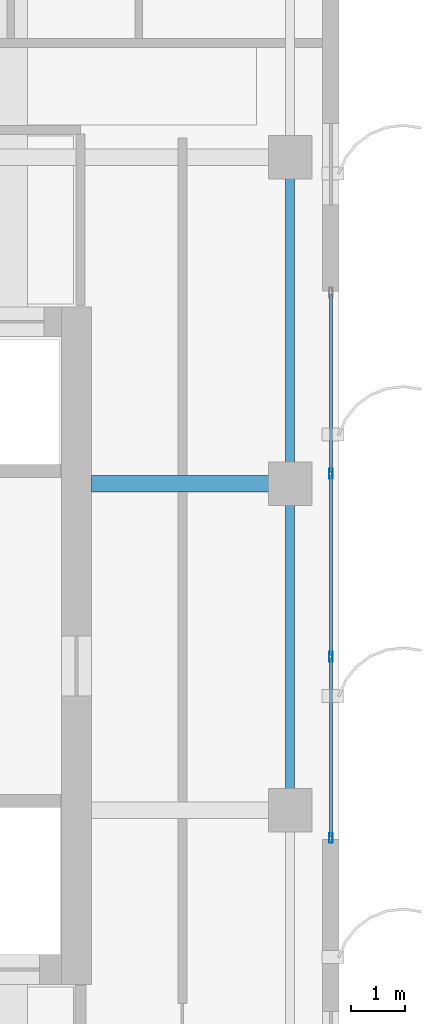
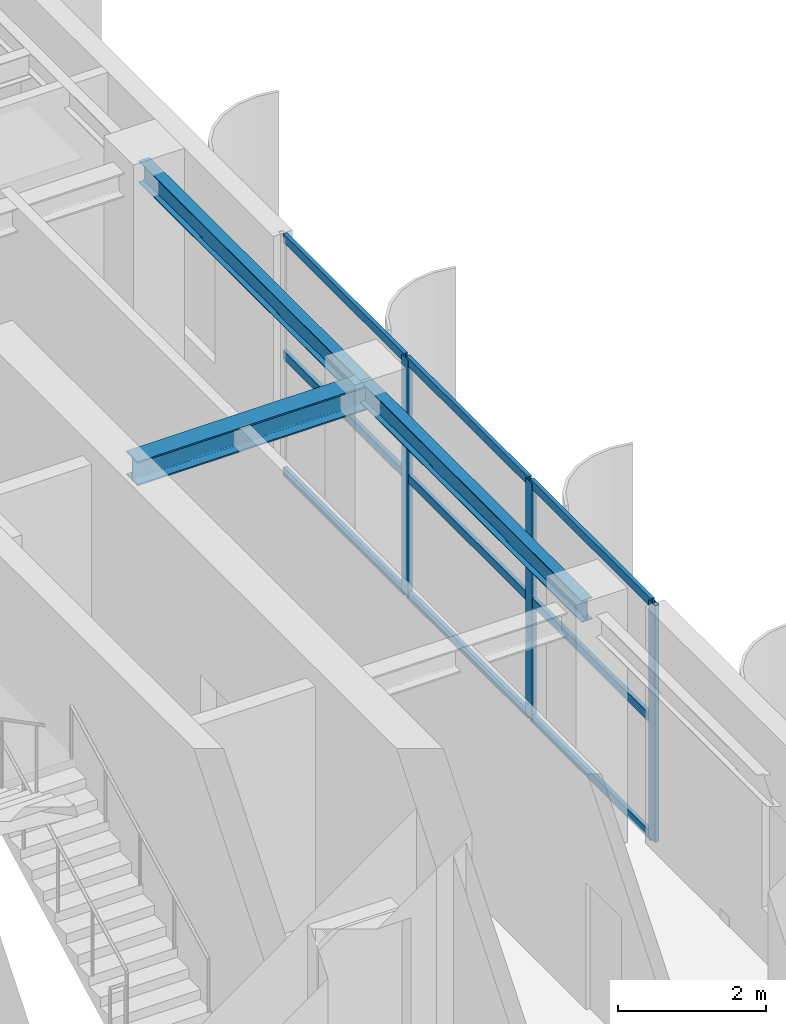
# One storey, part 6 of 19: 12 members, 3 beams, 1 element without a shape of its own.
"""IFC4 building model written with IfcOpenShell, lengths in metres."""

from ifc_helpers import new_model, si_unit, direction, frame, origin, origin_2d, place, context, subcontext, project, spatial, hollow_rectangle, i_section, extrude, source, transform, mapped, material, layer, layer_set, material_profile, profile_set, type_object, element, aggregate, save


model = new_model("IFC4")

# Units and contexts
model_context = context("Model", 3, precision=1e-05, world=origin(), true_north=direction((0.0, 1.0)))
body_context = subcontext(model_context, "Body", "Model", "MODEL_VIEW")
ifc_project = project(units=[si_unit("LENGTHUNIT", "METRE"), si_unit("AREAUNIT", "SQUARE_METRE"), si_unit("VOLUMEUNIT", "CUBIC_METRE"), si_unit("PLANEANGLEUNIT", "RADIAN"), si_unit("MASSUNIT", "GRAM", prefix="KILO")], contexts=[model_context])

# Site, building, storey
site_placement = place(None, origin())
site = spatial("IfcSite", under=ifc_project, at=site_placement, CompositionType="ELEMENT")
building_placement = place(site_placement, origin())
building = spatial("IfcBuilding", under=site, at=building_placement, Name="Khoralis Quay Care Tower", CompositionType="ELEMENT")
storey_placement = place(building_placement, frame((0.0, 0.0, 285.300048828125)))
storey = spatial("IfcBuildingStorey", under=building, at=storey_placement, Name="L75", CompositionType="ELEMENT", Elevation=285.300048828125)

# Beams
ifc_material_1 = material(Name="Steel S355", Category="steel")
ifc_material_profile_1 = material_profile(ifc_material_1, i_section(OverallWidth=0.169921875, OverallDepth=0.360107421875, WebThickness=0.008056640625, FlangeThickness=0.0126953125, FilletRadius=0.01806640625, at=origin_2d()), Name="Steel S355")
ifc_profile_set_1 = profile_set([ifc_material_profile_1], Name="Steel S355")
beam_type_1 = type_object("IfcBeamType", Name="BM-IPE360", PredefinedType="SPANDREL", material=ifc_profile_set_1)
shared_shape_1 = source(origin(), body_context, "Body", "SweptSolid", [
    extrude(i_section(OverallWidth=0.169921875, OverallDepth=0.360107421875, WebThickness=0.008056640625, FlangeThickness=0.0126953125, FilletRadius=0.01806640625, at=origin_2d()), origin(), (0.0, 0.0, 1.0), 6.0),
])
for number, where, z_axis, x_axis, name in (
    (1, (41.10009765625, 18.0, 3.739990234375), (0.0, 1.0, 0.0), (-1.0, 0.0, 0.0), "BM-TSP-L75-14"),
    (2, (41.10009765625, 24.0, 3.739990234375), (0.0, 1.0, 0.0), (-1.0, 0.0, 0.0), "BM-TSP-L75-15"),
):
    element("IfcBeam", number, at=place(storey_placement, frame(where, z_axis=z_axis, x_axis=x_axis)), inside=storey, type_object=beam_type_1, Name=name, PredefinedType="SPANDREL", context=body_context, shape_type="MappedRepresentation", body=[
        mapped(shared_shape_1, transform((0.0, 0.0, 0.0), scale=1.0)),
    ])
ifc_material_profile_2 = material_profile(ifc_material_1, i_section(OverallWidth=0.300048828125, OverallDepth=0.39990234375, WebThickness=0.013427734375, FlangeThickness=0.02392578125, FilletRadius=0.027099609375, at=origin_2d()), Name="Steel S355")
ifc_profile_set_2 = profile_set([ifc_material_profile_2], Name="Steel S355")
beam_type_2 = type_object("IfcBeamType", Name="BM-HEB400", PredefinedType="BEAM", material=ifc_profile_set_2)
shared_shape_2 = source(origin(), body_context, "Body", "SweptSolid", [
    extrude(i_section(OverallWidth=0.300048828125, OverallDepth=0.39990234375, WebThickness=0.013427734375, FlangeThickness=0.02392578125, FilletRadius=0.027099609375, at=origin_2d()), origin(), (0.0, 0.0, 1.0), 3.652099609375),
])
beam_placement = place(storey_placement, frame((37.447998046875, 24.0, 3.719970703125), z_axis=(1.0, 0.0, 0.0), x_axis=(0.0, 1.0, 0.0)))
element("IfcBeam", 3, at=beam_placement, inside=storey, type_object=beam_type_2, Name="BM-TGXE-L75-240", PredefinedType="BEAM", context=body_context, shape_type="MappedRepresentation", body=[
    mapped(shared_shape_2, transform((0.0, 0.0, 0.0), scale=1.0)),
])

# Curtain wall, members
ifc_material_2 = material(Name="Pale anodised aluminium", Category="aluminium")
ifc_layer = layer(ifc_material_2, 0.159912109375)
ifc_layer_set = layer_set([ifc_layer], Name="Pale anodised aluminium")
curtain_wall_type = type_object("IfcCurtainWallType", Name="CW-SYS-Z3", PredefinedType="NOTDEFINED", material=ifc_layer_set)
curtain_wall_placement = place(storey_placement, origin())
curtain_wall = element("IfcCurtainWall", 4, at=curtain_wall_placement, inside=storey, type_object=curtain_wall_type, Name="L75 Unitised Curtain Wall CW-L75-P1-E5", PredefinedType="NOTDEFINED")
ifc_material_profile_3 = material_profile(ifc_material_2, hollow_rectangle(XDim=0.06005859375, YDim=0.139892578125, WallThickness=0.00390625, at=origin_2d()), Name="Pale anodised aluminium")
ifc_profile_set_3 = profile_set([ifc_material_profile_3], Name="Pale anodised aluminium")
member_type_1 = type_object("IfcMemberType", Name="CW-TRN-140", PredefinedType="USERDEFINED", material=ifc_profile_set_3)
shared_shape_3 = source(origin(), body_context, "Body", "SweptSolid", [
    extrude(hollow_rectangle(XDim=0.06005859375, YDim=0.139892578125, WallThickness=0.00390625, at=origin_2d()), origin(), (0.0, 0.0, 1.0), 3.27001953125),
])
member_1_placement = place(storey_placement, frame((41.85009765625, 17.52001953125, 0.030029296875), z_axis=(0.0, 1.0, 0.0), x_axis=(-1.0, 0.0, 0.0)))
member_1 = element("IfcMember", 5, at=member_1_placement, type_object=member_type_1, Name="CW3 transom 1.1", ObjectType="TRANSOM", PredefinedType="USERDEFINED", context=body_context, shape_type="MappedRepresentation", body=[
    mapped(shared_shape_3, transform((0.0, 0.0, 0.0), scale=1.0)),
])
member_2_placement = place(storey_placement, frame((41.85009765625, 17.52001953125, 1.9599609375), z_axis=(0.0, 1.0, 0.0), x_axis=(-1.0, 0.0, 0.0)))
member_2 = element("IfcMember", 6, at=member_2_placement, type_object=member_type_1, Name="CW3 transom 1.2", ObjectType="TRANSOM", PredefinedType="USERDEFINED", context=body_context, shape_type="MappedRepresentation", body=[
    mapped(shared_shape_3, transform((0.0, 0.0, 0.0), scale=1.0)),
])
member_3_placement = place(storey_placement, frame((41.85009765625, 17.52001953125, 3.889892578125), z_axis=(0.0, 1.0, 0.0), x_axis=(-1.0, 0.0, 0.0)))
member_3 = element("IfcMember", 7, at=member_3_placement, type_object=member_type_1, Name="CW3 transom 1.3", ObjectType="TRANSOM", PredefinedType="USERDEFINED", context=body_context, shape_type="MappedRepresentation", body=[
    mapped(shared_shape_3, transform((0.0, 0.0, 0.0), scale=1.0)),
])
member_4_placement = place(storey_placement, frame((41.85009765625, 24.2099609375, 0.030029296875), z_axis=(0.0, 1.0, 0.0), x_axis=(-1.0, 0.0, 0.0)))
member_4 = element("IfcMember", 8, at=member_4_placement, type_object=member_type_1, Name="CW3 transom 3.1", ObjectType="TRANSOM", PredefinedType="USERDEFINED", context=body_context, shape_type="MappedRepresentation", body=[
    mapped(shared_shape_3, transform((0.0, 0.0, 0.0), scale=1.0)),
])
member_5_placement = place(storey_placement, frame((41.85009765625, 24.2099609375, 1.9599609375), z_axis=(0.0, 1.0, 0.0), x_axis=(-1.0, 0.0, 0.0)))
member_5 = element("IfcMember", 9, at=member_5_placement, type_object=member_type_1, Name="CW3 transom 3.2", ObjectType="TRANSOM", PredefinedType="USERDEFINED", context=body_context, shape_type="MappedRepresentation", body=[
    mapped(shared_shape_3, transform((0.0, 0.0, 0.0), scale=1.0)),
])
member_6_placement = place(storey_placement, frame((41.85009765625, 24.2099609375, 3.889892578125), z_axis=(0.0, 1.0, 0.0), x_axis=(-1.0, 0.0, 0.0)))
member_6 = element("IfcMember", 10, at=member_6_placement, type_object=member_type_1, Name="CW3 transom 3.3", ObjectType="TRANSOM", PredefinedType="USERDEFINED", context=body_context, shape_type="MappedRepresentation", body=[
    mapped(shared_shape_3, transform((0.0, 0.0, 0.0), scale=1.0)),
])
shared_shape_4 = source(origin(), body_context, "Body", "SweptSolid", [
    extrude(hollow_rectangle(XDim=0.06005859375, YDim=0.139892578125, WallThickness=0.00390625, at=origin_2d()), origin(), (0.0, 0.0, 1.0), 3.2998046875),
])
member_7_placement = place(storey_placement, frame((41.85009765625, 20.85009765625, 0.030029296875), z_axis=(0.0, 1.0, 0.0), x_axis=(-1.0, 0.0, 0.0)))
member_7 = element("IfcMember", 11, at=member_7_placement, type_object=member_type_1, Name="CW3 transom 2.1", ObjectType="TRANSOM", PredefinedType="USERDEFINED", context=body_context, shape_type="MappedRepresentation", body=[
    mapped(shared_shape_4, transform((0.0, 0.0, 0.0), scale=1.0)),
])
member_8_placement = place(storey_placement, frame((41.85009765625, 20.85009765625, 1.9599609375), z_axis=(0.0, 1.0, 0.0), x_axis=(-1.0, 0.0, 0.0)))
member_8 = element("IfcMember", 12, at=member_8_placement, type_object=member_type_1, Name="CW3 transom 2.2", ObjectType="TRANSOM", PredefinedType="USERDEFINED", context=body_context, shape_type="MappedRepresentation", body=[
    mapped(shared_shape_4, transform((0.0, 0.0, 0.0), scale=1.0)),
])
member_9_placement = place(storey_placement, frame((41.85009765625, 20.85009765625, 3.889892578125), z_axis=(0.0, 1.0, 0.0), x_axis=(-1.0, 0.0, 0.0)))
member_9 = element("IfcMember", 13, at=member_9_placement, type_object=member_type_1, Name="CW3 transom 2.3", ObjectType="TRANSOM", PredefinedType="USERDEFINED", context=body_context, shape_type="MappedRepresentation", body=[
    mapped(shared_shape_4, transform((0.0, 0.0, 0.0), scale=1.0)),
])
ifc_material_profile_4 = material_profile(ifc_material_2, hollow_rectangle(XDim=0.06494140625, YDim=0.179931640625, WallThickness=0.00390625, at=origin_2d()), Name="Pale anodised aluminium")
ifc_profile_set_4 = profile_set([ifc_material_profile_4], Name="Pale anodised aluminium")
member_type_2 = type_object("IfcMemberType", Name="CW-MUL-180", PredefinedType="MULLION", material=ifc_profile_set_4)
shared_shape_5 = source(origin(), body_context, "Body", "SweptSolid", [
    extrude(hollow_rectangle(XDim=0.06494140625, YDim=0.179931640625, WallThickness=0.00390625, at=origin_2d()), origin(), (0.0, 0.0, 1.0), 3.919921875),
])
member_10_placement = place(storey_placement, frame((41.85009765625, 17.489990234375, 0.0), z_axis=(0.0, 0.0, 1.0), x_axis=(-1.0, 0.0, 0.0)))
member_10 = element("IfcMember", 14, at=member_10_placement, type_object=member_type_2, Name="CW3 mullion 1", PredefinedType="MULLION", context=body_context, shape_type="MappedRepresentation", body=[
    mapped(shared_shape_5, transform((0.0, 0.0, 0.0), scale=1.0)),
])
member_11_placement = place(storey_placement, frame((41.85009765625, 20.820068359375, 0.0), z_axis=(0.0, 0.0, 1.0), x_axis=(-1.0, 0.0, 0.0)))
member_11 = element("IfcMember", 15, at=member_11_placement, type_object=member_type_2, Name="CW3 mullion 2", PredefinedType="MULLION", context=body_context, shape_type="MappedRepresentation", body=[
    mapped(shared_shape_5, transform((0.0, 0.0, 0.0), scale=1.0)),
])
member_12_placement = place(storey_placement, frame((41.85009765625, 24.179931640625, 0.0), z_axis=(0.0, 0.0, 1.0), x_axis=(-1.0, 0.0, 0.0)))
member_12 = element("IfcMember", 16, at=member_12_placement, type_object=member_type_2, Name="CW3 mullion 3", PredefinedType="MULLION", context=body_context, shape_type="MappedRepresentation", body=[
    mapped(shared_shape_5, transform((0.0, 0.0, 0.0), scale=1.0)),
])
aggregate(curtain_wall, [member_10, member_11, member_12, member_1, member_2, member_3, member_7, member_8, member_9, member_4, member_5, member_6])

save(model, "model.ifc")
